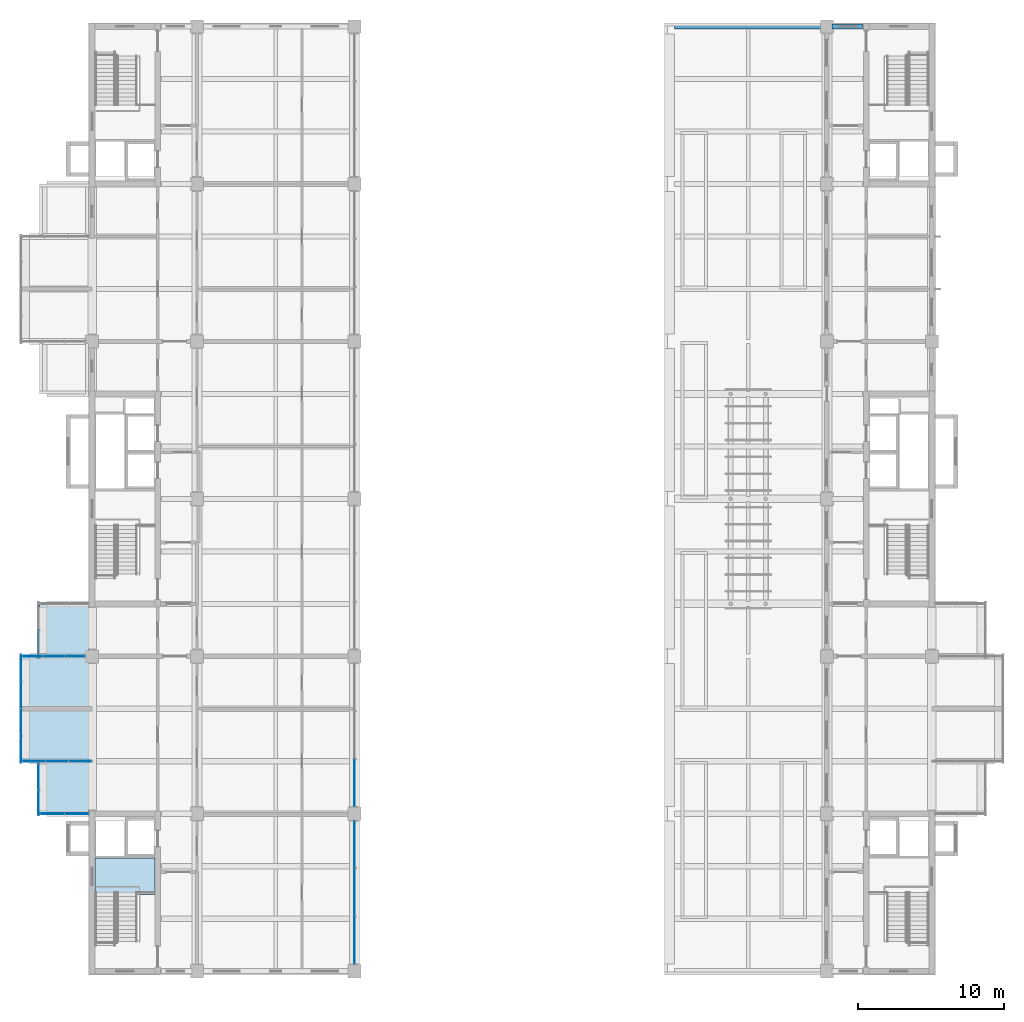
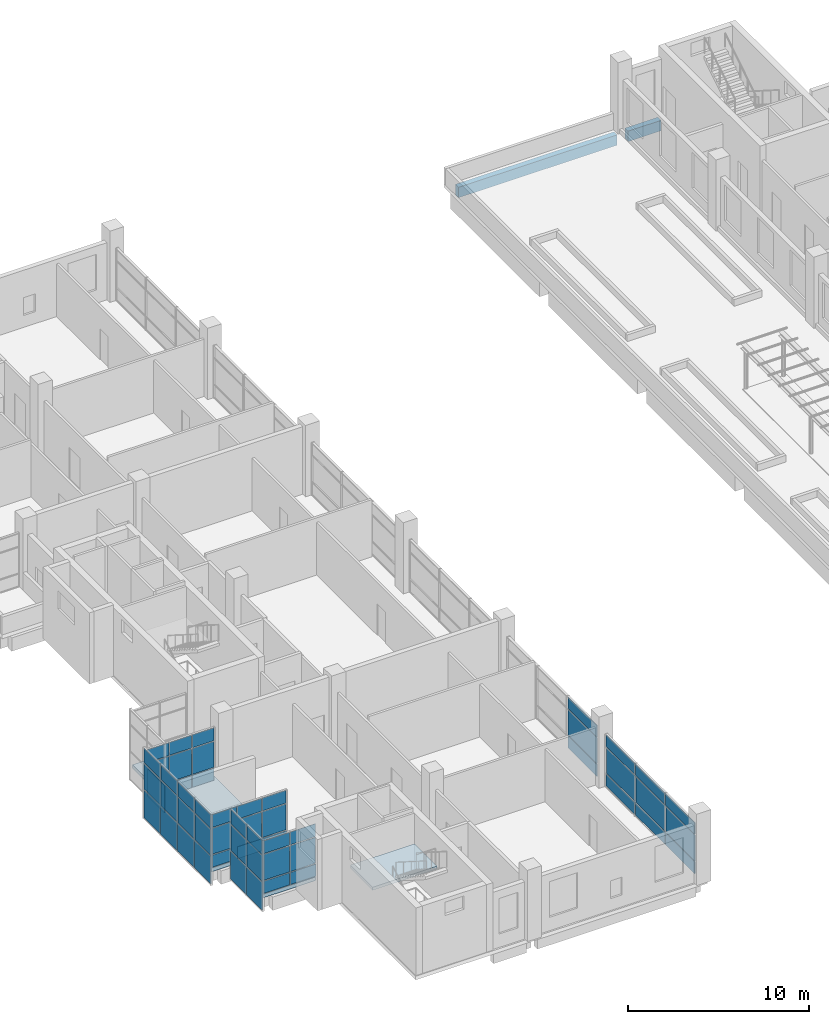
# One storey, part 18 of 32: 55 plates, 2 beams, 2 slabs, 9 elements without a shape of their own.
"""IFC4 building model written with IfcOpenShell, lengths in metres."""

from ifc_helpers import new_model, si_unit, direction, frame, origin, origin_2d, place, context, subcontext, project, spatial, polyline, rectangle, outline, extrude, material, layer, layer_set, material_profile, profile_set, type_object, element, aggregate, save


model = new_model("IFC4")

# Units and contexts
model_context = context("Model", 3, precision=1e-05, world=origin(), true_north=direction((0.0, 1.0)))
body_context = subcontext(model_context, "Body", "Model", "MODEL_VIEW")
ifc_project = project(units=[si_unit("LENGTHUNIT", "METRE"), si_unit("AREAUNIT", "SQUARE_METRE"), si_unit("VOLUMEUNIT", "CUBIC_METRE"), si_unit("PLANEANGLEUNIT", "RADIAN"), si_unit("MASSUNIT", "GRAM", prefix="KILO")], contexts=[model_context])

# Site, building, storey
site_placement = place(None, origin())
site = spatial("IfcSite", under=ifc_project, at=site_placement, CompositionType="ELEMENT")
building_placement = place(site_placement, origin())
building = spatial("IfcBuilding", under=site, at=building_placement, Name="Basin Gate Institute", CompositionType="ELEMENT")
storey_placement = place(building_placement, frame((0.0, 0.0, 41.39990234375)))
storey = spatial("IfcBuildingStorey", under=building, at=storey_placement, Name="L08", CompositionType="ELEMENT", Elevation=41.39990234375)

# Beams
ifc_material_1 = material(Name="Concrete 40 MPa", Category="concrete")
ifc_material_profile = material_profile(ifc_material_1, rectangle(XDim=0.35009765625, YDim=0.699951171875, at=origin_2d()), Name="Beam B1 350 x 700")
ifc_profile_set = profile_set([ifc_material_profile], Name="Concrete 40 MPa")
beam_type = type_object("IfcBeamType", Name="Beam B1 R120", PredefinedType="BEAM", material=ifc_profile_set)
beam_1_placement = place(storey_placement, frame((111.25, 99.89990234375, -0.599853515625), z_axis=(-1.0, 0.0, 0.0), x_axis=(0.0, -1.0, 0.0)))
element("IfcBeam", 1, at=beam_1_placement, inside=storey, type_object=beam_type, material=ifc_profile_set, Name="BEAM/L08/E/EW/19", PredefinedType="BEAM", context=body_context, shape_type="SweptSolid", body=[
    extrude(rectangle(XDim=0.35009765625, YDim=0.699951171875, at=origin_2d()), origin(), (0.0, 0.0, 1.0), 10.10009765625),
])
beam_2_placement = place(storey_placement, frame((114.050048828125, 99.89990234375, -0.599853515625), z_axis=(-1.0, 0.0, 0.0), x_axis=(0.0, -1.0, 0.0)))
element("IfcBeam", 2, at=beam_2_placement, inside=storey, type_object=beam_type, material=ifc_profile_set, Name="BEAM/L08/E/CORR/19", PredefinedType="BEAM", context=body_context, shape_type="SweptSolid", body=[
    extrude(rectangle(XDim=0.35009765625, YDim=0.699951171875, at=origin_2d()), origin(), (0.0, 0.0, 1.0), 2.10009765625),
])

# Slab
ifc_material_2 = material(Name="Concrete 40 MPa", Category="concrete")
ifc_layer_1 = layer(ifc_material_2, 0.25)
ifc_layer_set_1 = layer_set([ifc_layer_1], Name="Concrete 40 MPa")
slab_type_1 = type_object("IfcSlabType", Name="Slab SL4 R120", PredefinedType="FLOOR", material=ifc_layer_set_1)
slab_1_placement = place(storey_placement, frame((0.0, 0.0, -0.25)))
element("IfcSlab", 3, at=slab_1_placement, inside=storey, type_object=slab_type_1, material=ifc_layer_set_1, Name="SLAB/L08/WK11", PredefinedType="FLOOR", context=body_context, shape_type="SweptSolid", body=[
    extrude(outline(polyline([(57.60009765625, 45.89990234375), (57.60009765625, 49.5), (56.39990234375, 49.5), (56.39990234375, 56.699951171875), (57.60009765625, 56.699951171875), (57.60009765625, 60.300048828125), (60.949951171875, 60.300048828125), (60.949951171875, 45.89990234375), (57.60009765625, 45.89990234375)])), origin(), (0.0, 0.0, 1.0), 0.25),
])

# Curtain wall, plates
ifc_material_3 = material(Name="Aluminium-framed glazing", Category="aluminium")
ifc_layer_2 = layer(ifc_material_3, 0.199951171875)
ifc_layer_set_2 = layer_set([ifc_layer_2], Name="Atrium curtain wall CW2")
curtain_wall_type_1 = type_object("IfcCurtainWallType", Name="Atrium curtain wall CW2", PredefinedType="NOTDEFINED", material=ifc_layer_set_2)
curtain_wall_1_placement = place(storey_placement, origin())
curtain_wall_1 = element("IfcCurtainWall", 4, at=curtain_wall_1_placement, inside=storey, type_object=curtain_wall_type_1, material=ifc_layer_set_2, Name="Atrium curtain wall W wing atrium bay 1 L08", PredefinedType="NOTDEFINED")
ifc_material_4 = material(Name="Aluminium insulated spandrel panel", Category="aluminium")
ifc_layer_3 = layer(ifc_material_4, 0.050048828125)
ifc_layer_set_3 = layer_set([ifc_layer_3], Name="Spandrel panel PN2")
plate_type_1 = type_object("IfcPlateType", Name="Spandrel panel PN2", PredefinedType="CURTAIN_PANEL", material=ifc_layer_set_3)
plate_1_placement = place(storey_placement, frame((79.199951171875, 37.215087890625, 0.06005859375), z_axis=(0.0, 0.0, 1.0), x_axis=(0.0, 1.0, 0.0)))
plate_1 = element("IfcPlate", 5, at=plate_1_placement, type_object=plate_type_1, material=ifc_layer_set_3, Name="CW2 spandrel panel 1.1", PredefinedType="CURTAIN_PANEL", context=body_context, shape_type="SweptSolid", body=[
    extrude(rectangle(XDim=3.2099609375, YDim=0.050048828125, at=origin_2d()), origin(), (0.0, 0.0, 1.0), 0.81005859375),
])
plate_2_placement = place(storey_placement, frame((79.199951171875, 37.215087890625, 2.72998046875), z_axis=(0.0, 0.0, 1.0), x_axis=(0.0, 1.0, 0.0)))
plate_2 = element("IfcPlate", 6, at=plate_2_placement, type_object=plate_type_1, material=ifc_layer_set_3, Name="CW2 spandrel panel 1.3", PredefinedType="CURTAIN_PANEL", context=body_context, shape_type="SweptSolid", body=[
    extrude(rectangle(XDim=3.2099609375, YDim=0.050048828125, at=origin_2d()), origin(), (0.0, 0.0, 1.0), 0.760009765625),
])
plate_3_placement = place(storey_placement, frame((79.199951171875, 40.5, 0.06005859375), z_axis=(0.0, 0.0, 1.0), x_axis=(0.0, 1.0, 0.0)))
plate_3 = element("IfcPlate", 7, at=plate_3_placement, type_object=plate_type_1, material=ifc_layer_set_3, Name="CW2 spandrel panel 2.1", PredefinedType="CURTAIN_PANEL", context=body_context, shape_type="SweptSolid", body=[
    extrude(rectangle(XDim=3.239990234375, YDim=0.050048828125, at=origin_2d()), origin(), (0.0, 0.0, 1.0), 0.81005859375),
])
plate_4_placement = place(storey_placement, frame((79.199951171875, 40.5, 2.72998046875), z_axis=(0.0, 0.0, 1.0), x_axis=(0.0, 1.0, 0.0)))
plate_4 = element("IfcPlate", 8, at=plate_4_placement, type_object=plate_type_1, material=ifc_layer_set_3, Name="CW2 spandrel panel 2.3", PredefinedType="CURTAIN_PANEL", context=body_context, shape_type="SweptSolid", body=[
    extrude(rectangle(XDim=3.239990234375, YDim=0.050048828125, at=origin_2d()), origin(), (0.0, 0.0, 1.0), 0.760009765625),
])
plate_5_placement = place(storey_placement, frame((79.199951171875, 43.784912109375, 0.06005859375), z_axis=(0.0, 0.0, 1.0), x_axis=(0.0, 1.0, 0.0)))
plate_5 = element("IfcPlate", 9, at=plate_5_placement, type_object=plate_type_1, material=ifc_layer_set_3, Name="CW2 spandrel panel 3.1", PredefinedType="CURTAIN_PANEL", context=body_context, shape_type="SweptSolid", body=[
    extrude(rectangle(XDim=3.2099609375, YDim=0.050048828125, at=origin_2d()), origin(), (0.0, 0.0, 1.0), 0.81005859375),
])
plate_6_placement = place(storey_placement, frame((79.199951171875, 43.784912109375, 2.72998046875), z_axis=(0.0, 0.0, 1.0), x_axis=(0.0, 1.0, 0.0)))
plate_6 = element("IfcPlate", 10, at=plate_6_placement, type_object=plate_type_1, material=ifc_layer_set_3, Name="CW2 spandrel panel 3.3", PredefinedType="CURTAIN_PANEL", context=body_context, shape_type="SweptSolid", body=[
    extrude(rectangle(XDim=3.2099609375, YDim=0.050048828125, at=origin_2d()), origin(), (0.0, 0.0, 1.0), 0.760009765625),
])

curtain_wall_2_placement = place(storey_placement, origin())
curtain_wall_2 = element("IfcCurtainWall", 11, at=curtain_wall_2_placement, inside=storey, type_object=curtain_wall_type_1, material=ifc_layer_set_2, Name="Atrium curtain wall W wing atrium bay 2 L08", PredefinedType="NOTDEFINED")
plate_7_placement = place(storey_placement, frame((79.199951171875, 48.014892578125, 0.06005859375), z_axis=(0.0, 0.0, 1.0), x_axis=(0.0, 1.0, 0.0)))
plate_7 = element("IfcPlate", 12, at=plate_7_placement, type_object=plate_type_1, material=ifc_layer_set_3, Name="CW2 spandrel panel 1.1", PredefinedType="CURTAIN_PANEL", context=body_context, shape_type="SweptSolid", body=[
    extrude(rectangle(XDim=3.2099609375, YDim=0.050048828125, at=origin_2d()), origin(), (0.0, 0.0, 1.0), 0.81005859375),
])
plate_8_placement = place(storey_placement, frame((79.199951171875, 48.014892578125, 2.72998046875), z_axis=(0.0, 0.0, 1.0), x_axis=(0.0, 1.0, 0.0)))
plate_8 = element("IfcPlate", 13, at=plate_8_placement, type_object=plate_type_1, material=ifc_layer_set_3, Name="CW2 spandrel panel 1.3", PredefinedType="CURTAIN_PANEL", context=body_context, shape_type="SweptSolid", body=[
    extrude(rectangle(XDim=3.2099609375, YDim=0.050048828125, at=origin_2d()), origin(), (0.0, 0.0, 1.0), 0.760009765625),
])

ifc_material_5 = material(Name="Aluminium-framed glazing", Category="aluminium")
ifc_layer_4 = layer(ifc_material_5, 0.14990234375)
ifc_layer_set_4 = layer_set([ifc_layer_4], Name="Capsule front curtain wall CW1")
curtain_wall_type_2 = type_object("IfcCurtainWallType", Name="Capsule front curtain wall CW1", PredefinedType="NOTDEFINED", material=ifc_layer_set_4)
curtain_wall_3_placement = place(storey_placement, origin())
curtain_wall_3 = element("IfcCurtainWall", 14, at=curtain_wall_3_placement, inside=storey, type_object=curtain_wall_type_2, material=ifc_layer_set_4, Name="Capsule front curtain wall W wing capsule end L08 line 4", PredefinedType="NOTDEFINED")
plate_9_placement = place(storey_placement, frame((58.46240234375, 45.89990234375, 0.06005859375), z_axis=(0.0, 0.0, 1.0), x_axis=(1.0, 0.0, 0.0)))
plate_9 = element("IfcPlate", 15, at=plate_9_placement, type_object=plate_type_1, material=ifc_layer_set_3, Name="CW1 spandrel panel 1.1", PredefinedType="CURTAIN_PANEL", context=body_context, shape_type="SweptSolid", body=[
    extrude(rectangle(XDim=1.625, YDim=0.050048828125, at=origin_2d()), origin(), (0.0, 0.0, 1.0), 0.81005859375),
])
plate_10_placement = place(storey_placement, frame((60.137451171875, 45.89990234375, 0.06005859375), z_axis=(0.0, 0.0, 1.0), x_axis=(1.0, 0.0, 0.0)))
plate_10 = element("IfcPlate", 16, at=plate_10_placement, type_object=plate_type_1, material=ifc_layer_set_3, Name="CW1 spandrel panel 2.1", PredefinedType="CURTAIN_PANEL", context=body_context, shape_type="SweptSolid", body=[
    extrude(rectangle(XDim=1.625, YDim=0.050048828125, at=origin_2d()), origin(), (0.0, 0.0, 1.0), 0.81005859375),
])

curtain_wall_4_placement = place(storey_placement, origin())
curtain_wall_4 = element("IfcCurtainWall", 17, at=curtain_wall_4_placement, inside=storey, type_object=curtain_wall_type_2, material=ifc_layer_set_4, Name="Capsule front curtain wall W wing capsule end L08 line 5", PredefinedType="NOTDEFINED")
plate_11_placement = place(storey_placement, frame((57.21240234375, 49.5, 0.06005859375), z_axis=(0.0, 0.0, 1.0), x_axis=(1.0, 0.0, 0.0)))
plate_11 = element("IfcPlate", 18, at=plate_11_placement, type_object=plate_type_1, material=ifc_layer_set_3, Name="CW1 spandrel panel 1.1", PredefinedType="CURTAIN_PANEL", context=body_context, shape_type="SweptSolid", body=[
    extrude(rectangle(XDim=1.52490234375, YDim=0.050048828125, at=origin_2d()), origin(), (0.0, 0.0, 1.0), 0.81005859375),
])
plate_12_placement = place(storey_placement, frame((58.800048828125, 49.5, 0.06005859375), z_axis=(0.0, 0.0, 1.0), x_axis=(1.0, 0.0, 0.0)))
plate_12 = element("IfcPlate", 19, at=plate_12_placement, type_object=plate_type_1, material=ifc_layer_set_3, Name="CW1 spandrel panel 2.1", PredefinedType="CURTAIN_PANEL", context=body_context, shape_type="SweptSolid", body=[
    extrude(rectangle(XDim=1.550048828125, YDim=0.050048828125, at=origin_2d()), origin(), (0.0, 0.0, 1.0), 0.81005859375),
])
plate_13_placement = place(storey_placement, frame((60.387451171875, 49.5, 0.06005859375), z_axis=(0.0, 0.0, 1.0), x_axis=(1.0, 0.0, 0.0)))
plate_13 = element("IfcPlate", 20, at=plate_13_placement, type_object=plate_type_1, material=ifc_layer_set_3, Name="CW1 spandrel panel 3.1", PredefinedType="CURTAIN_PANEL", context=body_context, shape_type="SweptSolid", body=[
    extrude(rectangle(XDim=1.52490234375, YDim=0.050048828125, at=origin_2d()), origin(), (0.0, 0.0, 1.0), 0.81005859375),
])

curtain_wall_5_placement = place(storey_placement, origin())
curtain_wall_5 = element("IfcCurtainWall", 21, at=curtain_wall_5_placement, inside=storey, type_object=curtain_wall_type_2, material=ifc_layer_set_4, Name="Capsule front curtain wall W wing capsule end L08 line 7", PredefinedType="NOTDEFINED")
plate_14_placement = place(storey_placement, frame((57.137451171875, 56.699951171875, 0.06005859375), z_axis=(0.0, 0.0, 1.0), x_axis=(1.0, 0.0, 0.0)))
plate_14 = element("IfcPlate", 22, at=plate_14_placement, type_object=plate_type_1, material=ifc_layer_set_3, Name="CW1 spandrel panel 1.1", PredefinedType="CURTAIN_PANEL", context=body_context, shape_type="SweptSolid", body=[
    extrude(rectangle(XDim=1.375, YDim=0.050048828125, at=origin_2d()), origin(), (0.0, 0.0, 1.0), 0.81005859375),
])
plate_15_placement = place(storey_placement, frame((58.574951171875, 56.699951171875, 0.06005859375), z_axis=(0.0, 0.0, 1.0), x_axis=(1.0, 0.0, 0.0)))
plate_15 = element("IfcPlate", 23, at=plate_15_placement, type_object=plate_type_1, material=ifc_layer_set_3, Name="CW1 spandrel panel 2.1", PredefinedType="CURTAIN_PANEL", context=body_context, shape_type="SweptSolid", body=[
    extrude(rectangle(XDim=1.39990234375, YDim=0.050048828125, at=origin_2d()), origin(), (0.0, 0.0, 1.0), 0.81005859375),
])
plate_16_placement = place(storey_placement, frame((60.012451171875, 56.699951171875, 0.06005859375), z_axis=(0.0, 0.0, 1.0), x_axis=(1.0, 0.0, 0.0)))
plate_16 = element("IfcPlate", 24, at=plate_16_placement, type_object=plate_type_1, material=ifc_layer_set_3, Name="CW1 spandrel panel 3.1", PredefinedType="CURTAIN_PANEL", context=body_context, shape_type="SweptSolid", body=[
    extrude(rectangle(XDim=1.375, YDim=0.050048828125, at=origin_2d()), origin(), (0.0, 0.0, 1.0), 0.81005859375),
])

curtain_wall_6_placement = place(storey_placement, origin())
curtain_wall_6 = element("IfcCurtainWall", 25, at=curtain_wall_6_placement, inside=storey, type_object=curtain_wall_type_2, material=ifc_layer_set_4, Name="Capsule front curtain wall W wing capsule 1 L08 front 1", PredefinedType="NOTDEFINED")
plate_17_placement = place(storey_placement, frame((57.52490234375, 46.66259765625, -0.98974609375), z_axis=(0.0, 0.0, 1.0), x_axis=(0.0, 1.0, 0.0)))
plate_17 = element("IfcPlate", 26, at=plate_17_placement, type_object=plate_type_1, material=ifc_layer_set_3, Name="CW1 spandrel panel 1.1", PredefinedType="CURTAIN_PANEL", context=body_context, shape_type="SweptSolid", body=[
    extrude(rectangle(XDim=1.72509765625, YDim=0.050048828125, at=origin_2d()), origin(), (0.0, 0.0, 1.0), 1.860107421875),
])
plate_18_placement = place(storey_placement, frame((57.52490234375, 48.4375, -0.98974609375), z_axis=(0.0, 0.0, 1.0), x_axis=(0.0, 1.0, 0.0)))
plate_18 = element("IfcPlate", 27, at=plate_18_placement, type_object=plate_type_1, material=ifc_layer_set_3, Name="CW1 spandrel panel 2.1", PredefinedType="CURTAIN_PANEL", context=body_context, shape_type="SweptSolid", body=[
    extrude(rectangle(XDim=1.72509765625, YDim=0.050048828125, at=origin_2d()), origin(), (0.0, 0.0, 1.0), 1.860107421875),
])

curtain_wall_7_placement = place(storey_placement, origin())
curtain_wall_7 = element("IfcCurtainWall", 28, at=curtain_wall_7_placement, inside=storey, type_object=curtain_wall_type_2, material=ifc_layer_set_4, Name="Capsule front curtain wall W wing capsule 1 L08 front 2", PredefinedType="NOTDEFINED")
plate_19_placement = place(storey_placement, frame((56.324951171875, 50.300048828125, -0.98974609375), z_axis=(0.0, 0.0, 1.0), x_axis=(0.0, 1.0, 0.0)))
plate_19 = element("IfcPlate", 29, at=plate_19_placement, type_object=plate_type_1, material=ifc_layer_set_3, Name="CW1 spandrel panel 1.1", PredefinedType="CURTAIN_PANEL", context=body_context, shape_type="SweptSolid", body=[
    extrude(rectangle(XDim=1.800048828125, YDim=0.050048828125, at=origin_2d()), origin(), (0.0, 0.0, 1.0), 1.860107421875),
])
plate_20_placement = place(storey_placement, frame((56.324951171875, 52.16259765625, -0.98974609375), z_axis=(0.0, 0.0, 1.0), x_axis=(0.0, 1.0, 0.0)))
plate_20 = element("IfcPlate", 30, at=plate_20_placement, type_object=plate_type_1, material=ifc_layer_set_3, Name="CW1 spandrel panel 2.1", PredefinedType="CURTAIN_PANEL", context=body_context, shape_type="SweptSolid", body=[
    extrude(rectangle(XDim=1.824951171875, YDim=0.050048828125, at=origin_2d()), origin(), (0.0, 0.0, 1.0), 1.860107421875),
])
plate_21_placement = place(storey_placement, frame((56.324951171875, 54.03759765625, -0.98974609375), z_axis=(0.0, 0.0, 1.0), x_axis=(0.0, 1.0, 0.0)))
plate_21 = element("IfcPlate", 31, at=plate_21_placement, type_object=plate_type_1, material=ifc_layer_set_3, Name="CW1 spandrel panel 3.1", PredefinedType="CURTAIN_PANEL", context=body_context, shape_type="SweptSolid", body=[
    extrude(rectangle(XDim=1.824951171875, YDim=0.050048828125, at=origin_2d()), origin(), (0.0, 0.0, 1.0), 1.860107421875),
])
plate_22_placement = place(storey_placement, frame((56.324951171875, 55.89990234375, -0.98974609375), z_axis=(0.0, 0.0, 1.0), x_axis=(0.0, 1.0, 0.0)))
plate_22 = element("IfcPlate", 32, at=plate_22_placement, type_object=plate_type_1, material=ifc_layer_set_3, Name="CW1 spandrel panel 4.1", PredefinedType="CURTAIN_PANEL", context=body_context, shape_type="SweptSolid", body=[
    extrude(rectangle(XDim=1.800048828125, YDim=0.050048828125, at=origin_2d()), origin(), (0.0, 0.0, 1.0), 1.860107421875),
])

# Curtain wall, plate
curtain_wall_8_placement = place(storey_placement, origin())
curtain_wall_8 = element("IfcCurtainWall", 33, at=curtain_wall_8_placement, inside=storey, type_object=curtain_wall_type_2, material=ifc_layer_set_4, Name="Capsule front curtain wall W wing capsule 1 L08 front 4", PredefinedType="NOTDEFINED")
plate_23_placement = place(storey_placement, frame((57.52490234375, 57.53759765625, -0.98974609375), z_axis=(0.0, 0.0, 1.0), x_axis=(0.0, 1.0, 0.0)))
plate_23 = element("IfcPlate", 34, at=plate_23_placement, type_object=plate_type_1, material=ifc_layer_set_3, Name="CW1 spandrel panel 1.1", PredefinedType="CURTAIN_PANEL", context=body_context, shape_type="SweptSolid", body=[
    extrude(rectangle(XDim=1.875, YDim=0.050048828125, at=origin_2d()), origin(), (0.0, 0.0, 1.0), 1.860107421875),
])
aggregate(curtain_wall_8, [plate_23])

# Stair, slab
ifc_material_6 = material(Name="Concrete 40 MPa", Category="concrete")
stair_type = type_object("IfcStairType", Name="Stair ST", PredefinedType="HALF_TURN_STAIR", material=ifc_material_6)
stair_placement = place(storey_placement, origin())
stair = element("IfcStair", 35, at=stair_placement, inside=storey, type_object=stair_type, material=ifc_material_6, Name="Special safe stair ST-WS L08", PredefinedType="HALF_TURN_STAIR")
ifc_material_7 = material(Name="Concrete 40 MPa", Category="concrete")
ifc_layer_5 = layer(ifc_material_7, 0.199951171875)
ifc_layer_set_5 = layer_set([ifc_layer_5], Name="Concrete 40 MPa")
slab_type_2 = type_object("IfcSlabType", Name="Stair landing LN REI 120", PredefinedType="LANDING", material=ifc_layer_set_5)
slab_2_placement = place(storey_placement, frame((0.0, 0.0, 2.2890625)))
slab_2 = element("IfcSlab", 36, at=slab_2_placement, type_object=slab_type_2, material=ifc_layer_set_5, Name="Stair landing ST-WS-L1 L08", PredefinedType="LANDING", context=body_context, shape_type="SweptSolid", body=[
    extrude(outline(polyline([(61.39990234375, 40.3701171875), (65.5, 40.3701171875), (65.5, 42.85009765625), (61.39990234375, 42.85009765625), (61.39990234375, 40.3701171875)])), origin(), (0.0, 0.0, 1.0), 0.199951171875),
])
aggregate(stair, [slab_2])

# Plate
ifc_material_8 = material(Name="Double glazed unit")
ifc_layer_6 = layer(ifc_material_8, 0.028076171875)
ifc_layer_set_6 = layer_set([ifc_layer_6], Name="Vision panel PN1")
plate_type_2 = type_object("IfcPlateType", Name="Vision panel PN1", PredefinedType="CURTAIN_PANEL", material=ifc_layer_set_6)
plate_24_placement = place(storey_placement, frame((79.199951171875, 37.215087890625, 0.93017578125), z_axis=(0.0, 0.0, 1.0), x_axis=(0.0, 1.0, 0.0)))
plate_24 = element("IfcPlate", 37, at=plate_24_placement, type_object=plate_type_2, material=ifc_layer_set_6, Name="CW2 vision panel 1.2", PredefinedType="CURTAIN_PANEL", context=body_context, shape_type="SweptSolid", body=[
    extrude(rectangle(XDim=3.2099609375, YDim=0.028076171875, at=origin_2d()), origin(), (0.0, 0.0, 1.0), 1.739990234375),
])

plate_25_placement = place(storey_placement, frame((79.199951171875, 40.5, 0.93017578125), z_axis=(0.0, 0.0, 1.0), x_axis=(0.0, 1.0, 0.0)))
plate_25 = element("IfcPlate", 38, at=plate_25_placement, type_object=plate_type_2, material=ifc_layer_set_6, Name="CW2 vision panel 2.2", PredefinedType="CURTAIN_PANEL", context=body_context, shape_type="SweptSolid", body=[
    extrude(rectangle(XDim=3.239990234375, YDim=0.028076171875, at=origin_2d()), origin(), (0.0, 0.0, 1.0), 1.739990234375),
])

plate_26_placement = place(storey_placement, frame((79.199951171875, 43.784912109375, 0.93017578125), z_axis=(0.0, 0.0, 1.0), x_axis=(0.0, 1.0, 0.0)))
plate_26 = element("IfcPlate", 39, at=plate_26_placement, type_object=plate_type_2, material=ifc_layer_set_6, Name="CW2 vision panel 3.2", PredefinedType="CURTAIN_PANEL", context=body_context, shape_type="SweptSolid", body=[
    extrude(rectangle(XDim=3.2099609375, YDim=0.028076171875, at=origin_2d()), origin(), (0.0, 0.0, 1.0), 1.739990234375),
])

aggregate(curtain_wall_1, [plate_1, plate_24, plate_2, plate_3, plate_25, plate_4, plate_5, plate_26, plate_6])

plate_27_placement = place(storey_placement, frame((79.199951171875, 48.014892578125, 0.93017578125), z_axis=(0.0, 0.0, 1.0), x_axis=(0.0, 1.0, 0.0)))
plate_27 = element("IfcPlate", 40, at=plate_27_placement, type_object=plate_type_2, material=ifc_layer_set_6, Name="CW2 vision panel 1.2", PredefinedType="CURTAIN_PANEL", context=body_context, shape_type="SweptSolid", body=[
    extrude(rectangle(XDim=3.2099609375, YDim=0.028076171875, at=origin_2d()), origin(), (0.0, 0.0, 1.0), 1.739990234375),
])

aggregate(curtain_wall_2, [plate_7, plate_27, plate_8])

plate_28_placement = place(storey_placement, frame((58.46240234375, 45.89990234375, 0.93017578125), z_axis=(0.0, 0.0, 1.0), x_axis=(1.0, 0.0, 0.0)))
plate_28 = element("IfcPlate", 41, at=plate_28_placement, type_object=plate_type_2, material=ifc_layer_set_6, Name="CW1 vision panel 1.2", PredefinedType="CURTAIN_PANEL", context=body_context, shape_type="SweptSolid", body=[
    extrude(rectangle(XDim=1.625, YDim=0.028076171875, at=origin_2d()), origin(), (0.0, 0.0, 1.0), 1.739990234375),
])

plate_29_placement = place(storey_placement, frame((58.46240234375, 45.89990234375, 2.72998046875), z_axis=(0.0, 0.0, 1.0), x_axis=(1.0, 0.0, 0.0)))
plate_29 = element("IfcPlate", 42, at=plate_29_placement, type_object=plate_type_2, material=ifc_layer_set_6, Name="CW1 vision panel 1.3", PredefinedType="CURTAIN_PANEL", context=body_context, shape_type="SweptSolid", body=[
    extrude(rectangle(XDim=1.625, YDim=0.028076171875, at=origin_2d()), origin(), (0.0, 0.0, 1.0), 0.860107421875),
])

plate_30_placement = place(storey_placement, frame((60.137451171875, 45.89990234375, 0.93017578125), z_axis=(0.0, 0.0, 1.0), x_axis=(1.0, 0.0, 0.0)))
plate_30 = element("IfcPlate", 43, at=plate_30_placement, type_object=plate_type_2, material=ifc_layer_set_6, Name="CW1 vision panel 2.2", PredefinedType="CURTAIN_PANEL", context=body_context, shape_type="SweptSolid", body=[
    extrude(rectangle(XDim=1.625, YDim=0.028076171875, at=origin_2d()), origin(), (0.0, 0.0, 1.0), 1.739990234375),
])

plate_31_placement = place(storey_placement, frame((60.137451171875, 45.89990234375, 2.72998046875), z_axis=(0.0, 0.0, 1.0), x_axis=(1.0, 0.0, 0.0)))
plate_31 = element("IfcPlate", 44, at=plate_31_placement, type_object=plate_type_2, material=ifc_layer_set_6, Name="CW1 vision panel 2.3", PredefinedType="CURTAIN_PANEL", context=body_context, shape_type="SweptSolid", body=[
    extrude(rectangle(XDim=1.625, YDim=0.028076171875, at=origin_2d()), origin(), (0.0, 0.0, 1.0), 0.860107421875),
])

aggregate(curtain_wall_3, [plate_9, plate_28, plate_29, plate_10, plate_30, plate_31])

plate_32_placement = place(storey_placement, frame((57.21240234375, 49.5, 0.93017578125), z_axis=(0.0, 0.0, 1.0), x_axis=(1.0, 0.0, 0.0)))
plate_32 = element("IfcPlate", 45, at=plate_32_placement, type_object=plate_type_2, material=ifc_layer_set_6, Name="CW1 vision panel 1.2", PredefinedType="CURTAIN_PANEL", context=body_context, shape_type="SweptSolid", body=[
    extrude(rectangle(XDim=1.52490234375, YDim=0.028076171875, at=origin_2d()), origin(), (0.0, 0.0, 1.0), 1.739990234375),
])

plate_33_placement = place(storey_placement, frame((57.21240234375, 49.5, 2.72998046875), z_axis=(0.0, 0.0, 1.0), x_axis=(1.0, 0.0, 0.0)))
plate_33 = element("IfcPlate", 46, at=plate_33_placement, type_object=plate_type_2, material=ifc_layer_set_6, Name="CW1 vision panel 1.3", PredefinedType="CURTAIN_PANEL", context=body_context, shape_type="SweptSolid", body=[
    extrude(rectangle(XDim=1.52490234375, YDim=0.028076171875, at=origin_2d()), origin(), (0.0, 0.0, 1.0), 0.860107421875),
])

plate_34_placement = place(storey_placement, frame((58.800048828125, 49.5, 0.93017578125), z_axis=(0.0, 0.0, 1.0), x_axis=(1.0, 0.0, 0.0)))
plate_34 = element("IfcPlate", 47, at=plate_34_placement, type_object=plate_type_2, material=ifc_layer_set_6, Name="CW1 vision panel 2.2", PredefinedType="CURTAIN_PANEL", context=body_context, shape_type="SweptSolid", body=[
    extrude(rectangle(XDim=1.550048828125, YDim=0.028076171875, at=origin_2d()), origin(), (0.0, 0.0, 1.0), 1.739990234375),
])

plate_35_placement = place(storey_placement, frame((58.800048828125, 49.5, 2.72998046875), z_axis=(0.0, 0.0, 1.0), x_axis=(1.0, 0.0, 0.0)))
plate_35 = element("IfcPlate", 48, at=plate_35_placement, type_object=plate_type_2, material=ifc_layer_set_6, Name="CW1 vision panel 2.3", PredefinedType="CURTAIN_PANEL", context=body_context, shape_type="SweptSolid", body=[
    extrude(rectangle(XDim=1.550048828125, YDim=0.028076171875, at=origin_2d()), origin(), (0.0, 0.0, 1.0), 0.860107421875),
])

plate_36_placement = place(storey_placement, frame((60.387451171875, 49.5, 0.93017578125), z_axis=(0.0, 0.0, 1.0), x_axis=(1.0, 0.0, 0.0)))
plate_36 = element("IfcPlate", 49, at=plate_36_placement, type_object=plate_type_2, material=ifc_layer_set_6, Name="CW1 vision panel 3.2", PredefinedType="CURTAIN_PANEL", context=body_context, shape_type="SweptSolid", body=[
    extrude(rectangle(XDim=1.52490234375, YDim=0.028076171875, at=origin_2d()), origin(), (0.0, 0.0, 1.0), 1.739990234375),
])

plate_37_placement = place(storey_placement, frame((60.387451171875, 49.5, 2.72998046875), z_axis=(0.0, 0.0, 1.0), x_axis=(1.0, 0.0, 0.0)))
plate_37 = element("IfcPlate", 50, at=plate_37_placement, type_object=plate_type_2, material=ifc_layer_set_6, Name="CW1 vision panel 3.3", PredefinedType="CURTAIN_PANEL", context=body_context, shape_type="SweptSolid", body=[
    extrude(rectangle(XDim=1.52490234375, YDim=0.028076171875, at=origin_2d()), origin(), (0.0, 0.0, 1.0), 0.860107421875),
])

aggregate(curtain_wall_4, [plate_11, plate_32, plate_33, plate_12, plate_34, plate_35, plate_13, plate_36, plate_37])

plate_38_placement = place(storey_placement, frame((57.137451171875, 56.699951171875, 0.93017578125), z_axis=(0.0, 0.0, 1.0), x_axis=(1.0, 0.0, 0.0)))
plate_38 = element("IfcPlate", 51, at=plate_38_placement, type_object=plate_type_2, material=ifc_layer_set_6, Name="CW1 vision panel 1.2", PredefinedType="CURTAIN_PANEL", context=body_context, shape_type="SweptSolid", body=[
    extrude(rectangle(XDim=1.375, YDim=0.028076171875, at=origin_2d()), origin(), (0.0, 0.0, 1.0), 1.739990234375),
])

plate_39_placement = place(storey_placement, frame((57.137451171875, 56.699951171875, 2.72998046875), z_axis=(0.0, 0.0, 1.0), x_axis=(1.0, 0.0, 0.0)))
plate_39 = element("IfcPlate", 52, at=plate_39_placement, type_object=plate_type_2, material=ifc_layer_set_6, Name="CW1 vision panel 1.3", PredefinedType="CURTAIN_PANEL", context=body_context, shape_type="SweptSolid", body=[
    extrude(rectangle(XDim=1.375, YDim=0.028076171875, at=origin_2d()), origin(), (0.0, 0.0, 1.0), 0.860107421875),
])

plate_40_placement = place(storey_placement, frame((58.574951171875, 56.699951171875, 0.93017578125), z_axis=(0.0, 0.0, 1.0), x_axis=(1.0, 0.0, 0.0)))
plate_40 = element("IfcPlate", 53, at=plate_40_placement, type_object=plate_type_2, material=ifc_layer_set_6, Name="CW1 vision panel 2.2", PredefinedType="CURTAIN_PANEL", context=body_context, shape_type="SweptSolid", body=[
    extrude(rectangle(XDim=1.39990234375, YDim=0.028076171875, at=origin_2d()), origin(), (0.0, 0.0, 1.0), 1.739990234375),
])

plate_41_placement = place(storey_placement, frame((58.574951171875, 56.699951171875, 2.72998046875), z_axis=(0.0, 0.0, 1.0), x_axis=(1.0, 0.0, 0.0)))
plate_41 = element("IfcPlate", 54, at=plate_41_placement, type_object=plate_type_2, material=ifc_layer_set_6, Name="CW1 vision panel 2.3", PredefinedType="CURTAIN_PANEL", context=body_context, shape_type="SweptSolid", body=[
    extrude(rectangle(XDim=1.39990234375, YDim=0.028076171875, at=origin_2d()), origin(), (0.0, 0.0, 1.0), 0.860107421875),
])

plate_42_placement = place(storey_placement, frame((60.012451171875, 56.699951171875, 0.93017578125), z_axis=(0.0, 0.0, 1.0), x_axis=(1.0, 0.0, 0.0)))
plate_42 = element("IfcPlate", 55, at=plate_42_placement, type_object=plate_type_2, material=ifc_layer_set_6, Name="CW1 vision panel 3.2", PredefinedType="CURTAIN_PANEL", context=body_context, shape_type="SweptSolid", body=[
    extrude(rectangle(XDim=1.375, YDim=0.028076171875, at=origin_2d()), origin(), (0.0, 0.0, 1.0), 1.739990234375),
])

plate_43_placement = place(storey_placement, frame((60.012451171875, 56.699951171875, 2.72998046875), z_axis=(0.0, 0.0, 1.0), x_axis=(1.0, 0.0, 0.0)))
plate_43 = element("IfcPlate", 56, at=plate_43_placement, type_object=plate_type_2, material=ifc_layer_set_6, Name="CW1 vision panel 3.3", PredefinedType="CURTAIN_PANEL", context=body_context, shape_type="SweptSolid", body=[
    extrude(rectangle(XDim=1.375, YDim=0.028076171875, at=origin_2d()), origin(), (0.0, 0.0, 1.0), 0.860107421875),
])

aggregate(curtain_wall_5, [plate_14, plate_38, plate_39, plate_15, plate_40, plate_41, plate_16, plate_42, plate_43])

plate_44_placement = place(storey_placement, frame((57.52490234375, 46.66259765625, 0.93017578125), z_axis=(0.0, 0.0, 1.0), x_axis=(0.0, 1.0, 0.0)))
plate_44 = element("IfcPlate", 57, at=plate_44_placement, type_object=plate_type_2, material=ifc_layer_set_6, Name="CW1 vision panel 1.2", PredefinedType="CURTAIN_PANEL", context=body_context, shape_type="SweptSolid", body=[
    extrude(rectangle(XDim=1.72509765625, YDim=0.028076171875, at=origin_2d()), origin(), (0.0, 0.0, 1.0), 1.739990234375),
])

plate_45_placement = place(storey_placement, frame((57.52490234375, 46.66259765625, 2.730224609375), z_axis=(0.0, 0.0, 1.0), x_axis=(0.0, 1.0, 0.0)))
plate_45 = element("IfcPlate", 58, at=plate_45_placement, type_object=plate_type_2, material=ifc_layer_set_6, Name="CW1 vision panel 1.3", PredefinedType="CURTAIN_PANEL", context=body_context, shape_type="SweptSolid", body=[
    extrude(rectangle(XDim=1.72509765625, YDim=0.028076171875, at=origin_2d()), origin(), (0.0, 0.0, 1.0), 0.9599609375),
])

plate_46_placement = place(storey_placement, frame((57.52490234375, 48.4375, 0.93017578125), z_axis=(0.0, 0.0, 1.0), x_axis=(0.0, 1.0, 0.0)))
plate_46 = element("IfcPlate", 59, at=plate_46_placement, type_object=plate_type_2, material=ifc_layer_set_6, Name="CW1 vision panel 2.2", PredefinedType="CURTAIN_PANEL", context=body_context, shape_type="SweptSolid", body=[
    extrude(rectangle(XDim=1.72509765625, YDim=0.028076171875, at=origin_2d()), origin(), (0.0, 0.0, 1.0), 1.739990234375),
])

plate_47_placement = place(storey_placement, frame((57.52490234375, 48.4375, 2.730224609375), z_axis=(0.0, 0.0, 1.0), x_axis=(0.0, 1.0, 0.0)))
plate_47 = element("IfcPlate", 60, at=plate_47_placement, type_object=plate_type_2, material=ifc_layer_set_6, Name="CW1 vision panel 2.3", PredefinedType="CURTAIN_PANEL", context=body_context, shape_type="SweptSolid", body=[
    extrude(rectangle(XDim=1.72509765625, YDim=0.028076171875, at=origin_2d()), origin(), (0.0, 0.0, 1.0), 0.9599609375),
])

aggregate(curtain_wall_6, [plate_17, plate_44, plate_45, plate_18, plate_46, plate_47])

plate_48_placement = place(storey_placement, frame((56.324951171875, 50.300048828125, 0.93017578125), z_axis=(0.0, 0.0, 1.0), x_axis=(0.0, 1.0, 0.0)))
plate_48 = element("IfcPlate", 61, at=plate_48_placement, type_object=plate_type_2, material=ifc_layer_set_6, Name="CW1 vision panel 1.2", PredefinedType="CURTAIN_PANEL", context=body_context, shape_type="SweptSolid", body=[
    extrude(rectangle(XDim=1.800048828125, YDim=0.028076171875, at=origin_2d()), origin(), (0.0, 0.0, 1.0), 1.739990234375),
])

plate_49_placement = place(storey_placement, frame((56.324951171875, 50.300048828125, 2.730224609375), z_axis=(0.0, 0.0, 1.0), x_axis=(0.0, 1.0, 0.0)))
plate_49 = element("IfcPlate", 62, at=plate_49_placement, type_object=plate_type_2, material=ifc_layer_set_6, Name="CW1 vision panel 1.3", PredefinedType="CURTAIN_PANEL", context=body_context, shape_type="SweptSolid", body=[
    extrude(rectangle(XDim=1.800048828125, YDim=0.028076171875, at=origin_2d()), origin(), (0.0, 0.0, 1.0), 0.9599609375),
])

plate_50_placement = place(storey_placement, frame((56.324951171875, 52.16259765625, 0.93017578125), z_axis=(0.0, 0.0, 1.0), x_axis=(0.0, 1.0, 0.0)))
plate_50 = element("IfcPlate", 63, at=plate_50_placement, type_object=plate_type_2, material=ifc_layer_set_6, Name="CW1 vision panel 2.2", PredefinedType="CURTAIN_PANEL", context=body_context, shape_type="SweptSolid", body=[
    extrude(rectangle(XDim=1.824951171875, YDim=0.028076171875, at=origin_2d()), origin(), (0.0, 0.0, 1.0), 1.739990234375),
])

plate_51_placement = place(storey_placement, frame((56.324951171875, 52.16259765625, 2.730224609375), z_axis=(0.0, 0.0, 1.0), x_axis=(0.0, 1.0, 0.0)))
plate_51 = element("IfcPlate", 64, at=plate_51_placement, type_object=plate_type_2, material=ifc_layer_set_6, Name="CW1 vision panel 2.3", PredefinedType="CURTAIN_PANEL", context=body_context, shape_type="SweptSolid", body=[
    extrude(rectangle(XDim=1.824951171875, YDim=0.028076171875, at=origin_2d()), origin(), (0.0, 0.0, 1.0), 0.9599609375),
])

plate_52_placement = place(storey_placement, frame((56.324951171875, 54.03759765625, 0.93017578125), z_axis=(0.0, 0.0, 1.0), x_axis=(0.0, 1.0, 0.0)))
plate_52 = element("IfcPlate", 65, at=plate_52_placement, type_object=plate_type_2, material=ifc_layer_set_6, Name="CW1 vision panel 3.2", PredefinedType="CURTAIN_PANEL", context=body_context, shape_type="SweptSolid", body=[
    extrude(rectangle(XDim=1.824951171875, YDim=0.028076171875, at=origin_2d()), origin(), (0.0, 0.0, 1.0), 1.739990234375),
])

plate_53_placement = place(storey_placement, frame((56.324951171875, 54.03759765625, 2.730224609375), z_axis=(0.0, 0.0, 1.0), x_axis=(0.0, 1.0, 0.0)))
plate_53 = element("IfcPlate", 66, at=plate_53_placement, type_object=plate_type_2, material=ifc_layer_set_6, Name="CW1 vision panel 3.3", PredefinedType="CURTAIN_PANEL", context=body_context, shape_type="SweptSolid", body=[
    extrude(rectangle(XDim=1.824951171875, YDim=0.028076171875, at=origin_2d()), origin(), (0.0, 0.0, 1.0), 0.9599609375),
])

plate_54_placement = place(storey_placement, frame((56.324951171875, 55.89990234375, 0.93017578125), z_axis=(0.0, 0.0, 1.0), x_axis=(0.0, 1.0, 0.0)))
plate_54 = element("IfcPlate", 67, at=plate_54_placement, type_object=plate_type_2, material=ifc_layer_set_6, Name="CW1 vision panel 4.2", PredefinedType="CURTAIN_PANEL", context=body_context, shape_type="SweptSolid", body=[
    extrude(rectangle(XDim=1.800048828125, YDim=0.028076171875, at=origin_2d()), origin(), (0.0, 0.0, 1.0), 1.739990234375),
])

plate_55_placement = place(storey_placement, frame((56.324951171875, 55.89990234375, 2.730224609375), z_axis=(0.0, 0.0, 1.0), x_axis=(0.0, 1.0, 0.0)))
plate_55 = element("IfcPlate", 68, at=plate_55_placement, type_object=plate_type_2, material=ifc_layer_set_6, Name="CW1 vision panel 4.3", PredefinedType="CURTAIN_PANEL", context=body_context, shape_type="SweptSolid", body=[
    extrude(rectangle(XDim=1.800048828125, YDim=0.028076171875, at=origin_2d()), origin(), (0.0, 0.0, 1.0), 0.9599609375),
])

aggregate(curtain_wall_7, [plate_19, plate_48, plate_49, plate_20, plate_50, plate_51, plate_21, plate_52, plate_53, plate_22, plate_54, plate_55])

save(model, "model.ifc")
